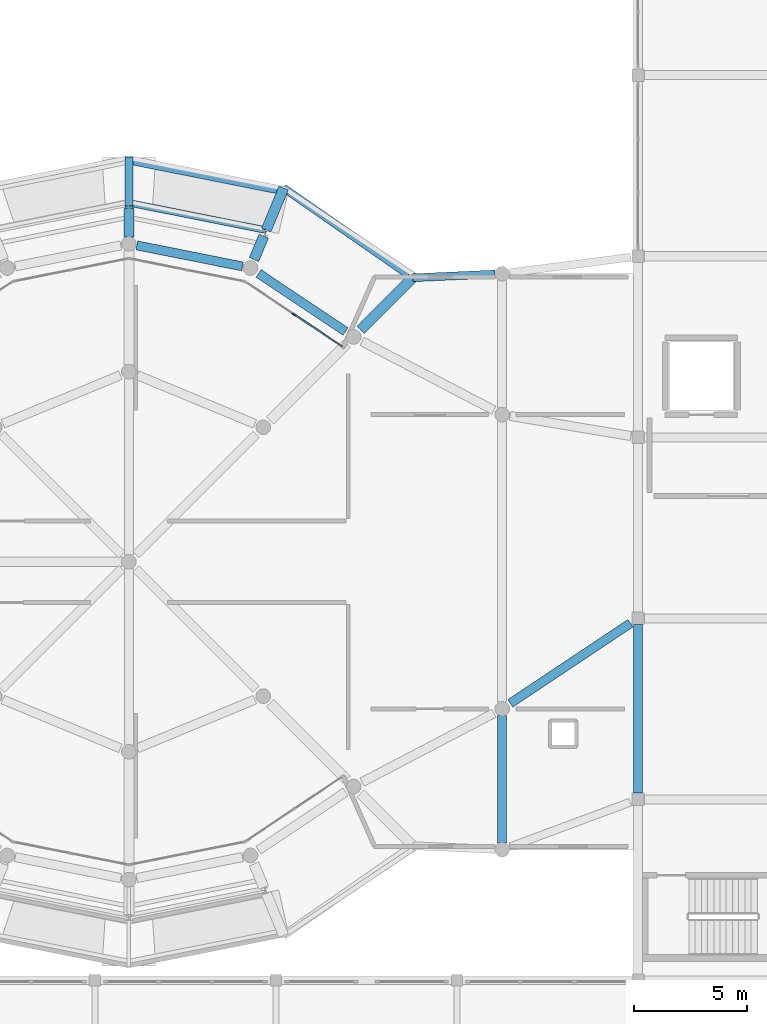
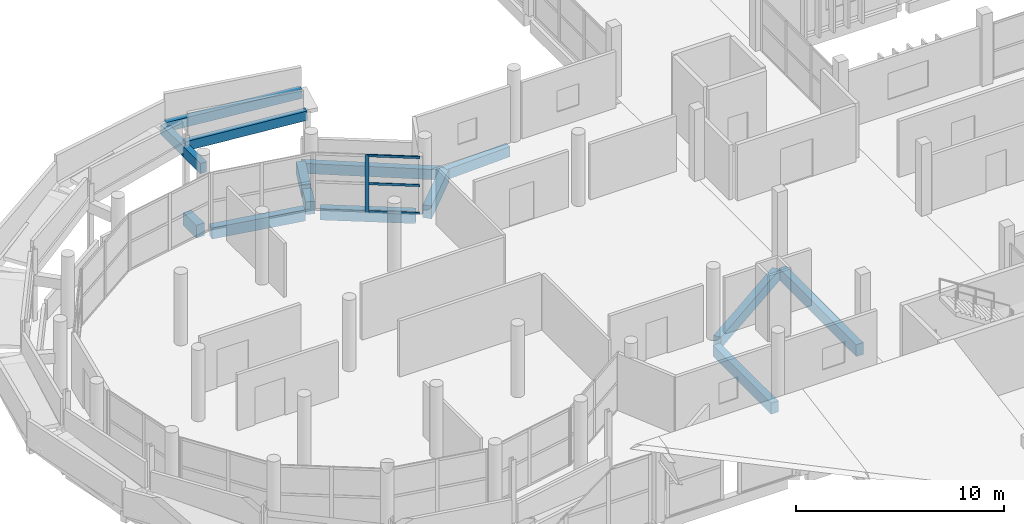
# One storey, part 19 of 83: 15 beams, 4 members, 1 element without a shape of its own.
"""IFC4 building model written with IfcOpenShell, lengths in metres."""

from ifc_helpers import new_model, si_unit, direction, frame, origin, origin_2d, place, context, subcontext, project, spatial, rectangle, extrude, material, layer, layer_set, material_profile, profile_set, type_object, element, aggregate, save


model = new_model("IFC4")

# Units and contexts
model_context = context("Model", 3, precision=1e-05, world=origin(), true_north=direction((0.0, 1.0)))
body_context = subcontext(model_context, "Body", "Model", "MODEL_VIEW")
ifc_project = project(units=[si_unit("LENGTHUNIT", "METRE"), si_unit("AREAUNIT", "SQUARE_METRE"), si_unit("VOLUMEUNIT", "CUBIC_METRE"), si_unit("PLANEANGLEUNIT", "RADIAN"), si_unit("MASSUNIT", "GRAM", prefix="KILO")], contexts=[model_context])

# Site, building, storey
site_placement = place(None, origin())
site = spatial("IfcSite", under=ifc_project, at=site_placement, CompositionType="ELEMENT")
building_placement = place(site_placement, origin())
building = spatial("IfcBuilding", under=site, at=building_placement, Name="Jelvoka-Kovrelna Polytechnic", CompositionType="ELEMENT")
storey_placement = place(building_placement, frame((0.0, 0.0, 13.800048828125)))
storey = spatial("IfcBuildingStorey", under=building, at=storey_placement, Name="L04", CompositionType="ELEMENT", Elevation=13.800048828125)

# Beams
ifc_material_1 = material(Name="Concrete C35/45", Category="concrete")
ifc_material_profile_1 = material_profile(ifc_material_1, rectangle(XDim=0.35009765625, YDim=0.60009765625, at=origin_2d()), Name="RC 350x600")
ifc_profile_set_1 = profile_set([ifc_material_profile_1], Name="Concrete C35/45")
beam_type_1 = type_object("IfcBeamType", Name="Beam_RC_350x600", PredefinedType="BEAM", material=ifc_profile_set_1)
beam_1_placement = place(storey_placement, frame((25.5, 56.550048828125, 3.2548828125), z_axis=(0.0, 1.0, 0.0), x_axis=(-1.0, 0.0, 0.0)))
element("IfcBeam", 1, at=beam_1_placement, inside=storey, type_object=beam_type_1, Name="L04 spiral ramp inner tie beam 4.2", PredefinedType="BEAM", context=body_context, shape_type="SweptSolid", body=[
    extrude(rectangle(XDim=0.35009765625, YDim=0.60009765625, at=origin_2d()), origin(), (0.0, 0.0, 1.0), 1.669921875),
])
beam_2_placement = place(storey_placement, frame((25.5, 58.219970703125, 3.2548828125), z_axis=(0.0, 1.0, 0.0), x_axis=(-1.0, 0.0, 0.0)))
element("IfcBeam", 2, at=beam_2_placement, inside=storey, type_object=beam_type_1, Name="L04 spiral ramp cantilever bracket 4.2", PredefinedType="BEAM", context=body_context, shape_type="SweptSolid", body=[
    extrude(rectangle(XDim=0.35009765625, YDim=0.60009765625, at=origin_2d()), origin(), (0.0, 0.0, 1.0), 2.159912109375),
])
ifc_material_2 = material(Name="Concrete C40/50", Category="concrete")
ifc_material_profile_2 = material_profile(ifc_material_2, rectangle(XDim=0.39990234375, YDim=0.64990234375, at=origin_2d()), Name="RC 400x650")
ifc_profile_set_2 = profile_set([ifc_material_profile_2], Name="Concrete C40/50")
beam_type_2 = type_object("IfcBeamType", Name="Beam_RC_400x650", PredefinedType="BEAM", material=ifc_profile_set_2)
beam_3_placement = place(storey_placement, frame((35.07666015625, 52.67431640625, -0.574951171875), z_axis=(-0.83148081682, 0.555553463908, 0.0), x_axis=(-0.555553463908, -0.83148081682, 0.0)))
element("IfcBeam", 3, at=beam_3_placement, inside=storey, type_object=beam_type_2, Name="L04 beam 2552", PredefinedType="BEAM", context=body_context, shape_type="SweptSolid", body=[
    extrude(rectangle(XDim=0.39990234375, YDim=0.64990234375, at=origin_2d()), origin(), (0.0, 0.0, 1.0), 4.620361328125),
])
beam_4_placement = place(storey_placement, frame((30.521484375, 55.55126953125, -0.574951171875), z_axis=(-0.98079325321, 0.195050235727, 0.0), x_axis=(-0.195050235727, -0.98079325321, 0.0)))
element("IfcBeam", 4, at=beam_4_placement, inside=storey, type_object=beam_type_2, Name="L04 beam 2553", PredefinedType="BEAM", context=body_context, shape_type="SweptSolid", body=[
    extrude(rectangle(XDim=0.39990234375, YDim=0.64990234375, at=origin_2d()), origin(), (0.0, 0.0, 1.0), 4.757568359375),
])
beam_5_placement = place(storey_placement, frame((42.3583984375, 36.239013671875, -0.574951171875), z_axis=(0.832056177582, 0.554691371258, 0.0), x_axis=(-0.554691371258, 0.832056177582, 0.0)))
element("IfcBeam", 5, at=beam_5_placement, inside=storey, type_object=beam_type_2, Name="L04 beam 2596", PredefinedType="BEAM", context=body_context, shape_type="SweptSolid", body=[
    extrude(rectangle(XDim=0.39990234375, YDim=0.64990234375, at=origin_2d()), origin(), (0.0, 0.0, 1.0), 6.38427734375),
])
beam_6_placement = place(storey_placement, frame((42.0, 30.0771484375, -0.574951171875), z_axis=(0.0, 1.0, 0.0), x_axis=(-1.0, 0.0, 0.0)))
element("IfcBeam", 6, at=beam_6_placement, inside=storey, type_object=beam_type_2, Name="L04 beam 2597", PredefinedType="BEAM", context=body_context, shape_type="SweptSolid", body=[
    extrude(rectangle(XDim=0.39990234375, YDim=0.64990234375, at=origin_2d()), origin(), (0.0, 0.0, 1.0), 5.617919921875),
])
ifc_material_3 = material(Name="Concrete C40/50", Category="concrete")
ifc_material_profile_3 = material_profile(ifc_material_3, rectangle(XDim=0.39990234375, YDim=0.699951171875, at=origin_2d()), Name="RC 400x700")
ifc_profile_set_3 = profile_set([ifc_material_profile_3], Name="Concrete C40/50")
beam_type_3 = type_object("IfcBeamType", Name="Beam_RC_400x700", PredefinedType="BEAM", material=ifc_profile_set_3)
beam_7_placement = place(storey_placement, frame((48.0, 32.280029296875, -0.60009765625), z_axis=(0.0, 1.0, 0.0), x_axis=(-1.0, 0.0, 0.0)))
element("IfcBeam", 7, at=beam_7_placement, inside=storey, type_object=beam_type_3, Name="L04 beam 1352", PredefinedType="BEAM", context=body_context, shape_type="SweptSolid", body=[
    extrude(rectangle(XDim=0.39990234375, YDim=0.699951171875, at=origin_2d()), origin(), (0.0, 0.0, 1.0), 7.43994140625),
])
ifc_material_4 = material(Name="Concrete C40/50", Category="concrete")
ifc_material_profile_4 = material_profile(ifc_material_4, rectangle(XDim=0.449951171875, YDim=0.75, at=origin_2d()), Name="RC 450x750")
ifc_profile_set_4 = profile_set([ifc_material_profile_4], Name="Concrete C40/50")
beam_type_4 = type_object("IfcBeamType", Name="Beam_RC_450x750", PredefinedType="BEAM", material=ifc_profile_set_4)
beam_8_placement = place(storey_placement, frame((35.745849609375, 52.745849609375, -0.625), z_axis=(0.707106781187, 0.707106781187, 0.0), x_axis=(-0.707106781187, 0.707106781187, 0.0)))
element("IfcBeam", 8, at=beam_8_placement, inside=storey, type_object=beam_type_4, Name="L04 beam 2564", PredefinedType="BEAM", context=body_context, shape_type="SweptSolid", body=[
    extrude(rectangle(XDim=0.449951171875, YDim=0.75, at=origin_2d()), origin(), (0.0, 0.0, 1.0), 3.260009765625),
])
beam_9_placement = place(storey_placement, frame((31.031494140625, 55.854248046875, -0.625), z_axis=(0.382679177001, 0.923881295129, 0.0), x_axis=(-0.923881295129, 0.382679177001, 0.0)))
element("IfcBeam", 9, at=beam_9_placement, inside=storey, type_object=beam_type_4, Name="L04 beam 2565", PredefinedType="BEAM", context=body_context, shape_type="SweptSolid", body=[
    extrude(rectangle(XDim=0.449951171875, YDim=0.75, at=origin_2d()), origin(), (0.0, 0.0, 1.0), 1.11962890625),
])
beam_10_placement = place(storey_placement, frame((31.571533203125, 57.158203125, -0.625), z_axis=(0.38266938507, 0.923885350966, 0.0), x_axis=(-0.923885350966, 0.38266938507, 0.0)))
element("IfcBeam", 10, at=beam_10_placement, inside=storey, type_object=beam_type_4, Name="L04 beam 2566", PredefinedType="BEAM", context=body_context, shape_type="SweptSolid", body=[
    extrude(rectangle(XDim=0.449951171875, YDim=0.75, at=origin_2d()), origin(), (0.0, 0.0, 1.0), 2.01416015625),
])
beam_11_placement = place(storey_placement, frame((25.5, 56.85498046875, -0.625), z_axis=(0.0, 1.0, 0.0), x_axis=(-1.0, 0.0, 0.0)))
element("IfcBeam", 11, at=beam_11_placement, inside=storey, type_object=beam_type_4, Name="L04 beam 2567", PredefinedType="BEAM", context=body_context, shape_type="SweptSolid", body=[
    extrude(rectangle(XDim=0.449951171875, YDim=0.75, at=origin_2d()), origin(), (0.0, 0.0, 1.0), 1.258056640625),
])

# Curtain wall, member
ifc_material_5 = material(Name="Anodised aluminium 6063-T6", Category="aluminium")
ifc_layer = layer(ifc_material_5, 0.179931640625)
ifc_layer_set = layer_set([ifc_layer], Name="Anodised aluminium 6063-T6")
curtain_wall_type = type_object("IfcCurtainWallType", Name="CW_Pavilion", PredefinedType="NOTDEFINED", material=ifc_layer_set)
curtain_wall_placement = place(storey_placement, origin())
curtain_wall = element("IfcCurtainWall", 12, at=curtain_wall_placement, inside=storey, type_object=curtain_wall_type, Name="L04 glazed curtain wall 244", PredefinedType="NOTDEFINED")
ifc_material_6 = material(Name="Anodised aluminium 6063-T6", Category="aluminium")
ifc_material_profile_5 = material_profile(ifc_material_6, rectangle(XDim=0.06494140625, YDim=0.179931640625, at=origin_2d()), Name="ALU 65x180")
ifc_profile_set_5 = profile_set([ifc_material_profile_5], Name="Anodised aluminium 6063-T6")
member_type_1 = type_object("IfcMemberType", Name="Mullion_M-05", PredefinedType="MULLION", material=ifc_profile_set_5)
member_1_placement = place(storey_placement, frame((32.801513671875, 53.427490234375, -0.02490234375), z_axis=(0.0, 0.0, 1.0), x_axis=(0.555582639326, 0.83146132254, 0.0)))
member_1 = element("IfcMember", 13, at=member_1_placement, type_object=member_type_1, Name="CW-05 mullion 2", PredefinedType="MULLION", context=body_context, shape_type="SweptSolid", body=[
    extrude(rectangle(XDim=0.06494140625, YDim=0.179931640625, at=origin_2d()), origin(), (0.0, 0.0, 1.0), 3.39990234375),
])

# Beams
ifc_material_7 = material(Name="Concrete C40/50", Category="concrete")
ifc_material_profile_6 = material_profile(ifc_material_7, rectangle(XDim=0.300048828125, YDim=0.550048828125, at=origin_2d()), Name="RC 300x550")
ifc_profile_set_6 = profile_set([ifc_material_profile_6], Name="Concrete C40/50")
beam_type_5 = type_object("IfcBeamType", Name="Spandrel_RC_300x550", PredefinedType="SPANDREL", material=ifc_profile_set_6)
beam_12_placement = place(storey_placement, frame((25.5, 60.219970703125, 3.5048828125), z_axis=(0.978979231033, -0.194731431864, 0.060657519319), x_axis=(0.195090664524, 0.980785212274, 0.0)))
element("IfcBeam", 14, at=beam_12_placement, inside=storey, type_object=beam_type_5, Name="L04 spiral ramp curved outer stringer 4.2", PredefinedType="SPANDREL", context=body_context, shape_type="SweptSolid", body=[
    extrude(rectangle(XDim=0.300048828125, YDim=0.550048828125, at=origin_2d()), origin(), (0.0, 0.0, 1.0), 6.9267578125),
])
beam_13_placement = place(storey_placement, frame((25.5, 58.360107421875, 3.5048828125), z_axis=(0.978524536822, -0.194681510825, 0.067740978595), x_axis=(0.195129735209, 0.980777439808, 0.0)))
element("IfcBeam", 15, at=beam_13_placement, inside=storey, type_object=beam_type_5, Name="L04 spiral ramp curved inner stringer 4.2", PredefinedType="SPANDREL", context=body_context, shape_type="SweptSolid", body=[
    extrude(rectangle(XDim=0.300048828125, YDim=0.550048828125, at=origin_2d()), origin(), (0.0, 0.0, 1.0), 6.20263671875),
])
ifc_material_8 = material(Name="Concrete C40/50", Category="concrete")
ifc_material_profile_7 = material_profile(ifc_material_8, rectangle(XDim=0.35009765625, YDim=0.60009765625, at=origin_2d()), Name="RC 350x600")
ifc_profile_set_7 = profile_set([ifc_material_profile_7], Name="Concrete C40/50")
beam_type_6 = type_object("IfcBeamType", Name="Spandrel_RC_350x600", PredefinedType="SPANDREL", material=ifc_profile_set_7)
beam_14_placement = place(storey_placement, frame((38.051025390625, 55.051025390625, -0.550048828125), z_axis=(-0.821126306312, 0.570746519116, 0.0), x_axis=(-0.570746519116, -0.821126306312, 0.0)))
element("IfcBeam", 16, at=beam_14_placement, inside=storey, type_object=beam_type_6, Name="L04 beam 2579", PredefinedType="SPANDREL", context=body_context, shape_type="SweptSolid", body=[
    extrude(rectangle(XDim=0.35009765625, YDim=0.60009765625, at=origin_2d()), origin(), (0.0, 0.0, 1.0), 6.952392578125),
])
beam_15_placement = place(storey_placement, frame((38.051025390625, 55.051025390625, -0.550048828125), z_axis=(0.998998382134, 0.04474631263, 0.0), x_axis=(-0.04474631263, 0.998998382134, 0.0)))
element("IfcBeam", 17, at=beam_15_placement, inside=storey, type_object=beam_type_6, Name="L04 beam 2589", PredefinedType="SPANDREL", context=body_context, shape_type="SweptSolid", body=[
    extrude(rectangle(XDim=0.35009765625, YDim=0.60009765625, at=origin_2d()), origin(), (0.0, 0.0, 1.0), 3.6337890625),
])

# Member
ifc_material_9 = material(Name="Anodised aluminium 6063-T6", Category="aluminium")
ifc_material_profile_8 = material_profile(ifc_material_9, rectangle(XDim=0.06494140625, YDim=0.135009765625, at=origin_2d()), Name="ALU 65x135")
ifc_profile_set_8 = profile_set([ifc_material_profile_8], Name="Anodised aluminium 6063-T6")
member_type_2 = type_object("IfcMemberType", Name="Transom_T-05", PredefinedType="USERDEFINED", material=ifc_profile_set_8)
member_2_placement = place(storey_placement, frame((32.82861328125, 53.409423828125, 0.032470703125), z_axis=(0.831467779718, -0.555572975667, 0.0), x_axis=(0.555572975667, 0.831467779718, 0.0)))
member_2 = element("IfcMember", 18, at=member_2_placement, type_object=member_type_2, Name="CW-05 transom 2.1", ObjectType="TRANSOM", PredefinedType="USERDEFINED", context=body_context, shape_type="SweptSolid", body=[
    extrude(rectangle(XDim=0.06494140625, YDim=0.135009765625, at=origin_2d()), origin(), (0.0, 0.0, 1.0), 2.5166015625),
])

member_3_placement = place(storey_placement, frame((32.82861328125, 53.409423828125, 1.675048828125), z_axis=(0.831467779718, -0.555572975667, 0.0), x_axis=(0.555572975667, 0.831467779718, 0.0)))
member_3 = element("IfcMember", 19, at=member_3_placement, type_object=member_type_2, Name="CW-05 transom 2.2", ObjectType="TRANSOM", PredefinedType="USERDEFINED", context=body_context, shape_type="SweptSolid", body=[
    extrude(rectangle(XDim=0.06494140625, YDim=0.135009765625, at=origin_2d()), origin(), (0.0, 0.0, 1.0), 2.5166015625),
])

member_4_placement = place(storey_placement, frame((32.82861328125, 53.409423828125, 3.3173828125), z_axis=(0.831467779718, -0.555572975667, 0.0), x_axis=(0.555572975667, 0.831467779718, 0.0)))
member_4 = element("IfcMember", 20, at=member_4_placement, type_object=member_type_2, Name="CW-05 transom 2.3", ObjectType="TRANSOM", PredefinedType="USERDEFINED", context=body_context, shape_type="SweptSolid", body=[
    extrude(rectangle(XDim=0.06494140625, YDim=0.135009765625, at=origin_2d()), origin(), (0.0, 0.0, 1.0), 2.5166015625),
])

aggregate(curtain_wall, [member_1, member_2, member_3, member_4])

save(model, "model.ifc")
